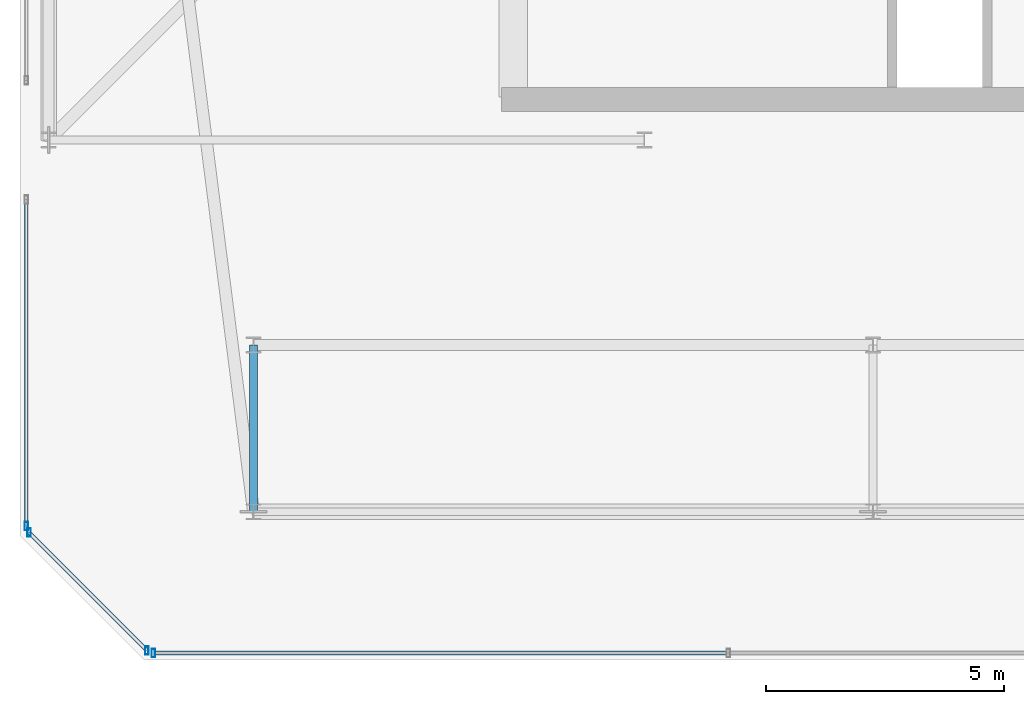
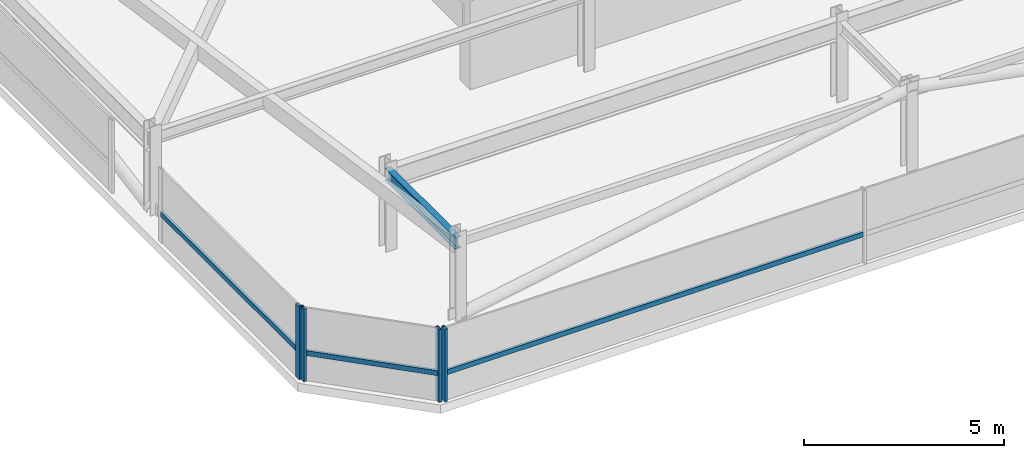
# One storey, part 7 of 42: 7 members, 1 beam, 3 elements without a shape of their own.
"""IFC4 building model written with IfcOpenShell, lengths in metres."""

from ifc_helpers import new_model, si_unit, direction, frame, origin, origin_2d, place, context, subcontext, project, spatial, hollow_rectangle, i_section, extrude, material, material_profile, profile_set, type_object, element, aggregate, save


model = new_model("IFC4")

# Units and contexts
model_context = context("Model", 3, precision=1e-05, world=origin(), true_north=direction((0.0, 1.0)))
body_context = subcontext(model_context, "Body", "Model", "MODEL_VIEW")
ifc_project = project(units=[si_unit("LENGTHUNIT", "METRE"), si_unit("AREAUNIT", "SQUARE_METRE"), si_unit("VOLUMEUNIT", "CUBIC_METRE"), si_unit("PLANEANGLEUNIT", "RADIAN"), si_unit("MASSUNIT", "GRAM", prefix="KILO")], contexts=[model_context])

# Site, building, storey
site_placement = place(None, origin())
site = spatial("IfcSite", under=ifc_project, at=site_placement, CompositionType="ELEMENT")
building_placement = place(site_placement, origin())
building = spatial("IfcBuilding", under=site, at=building_placement, Name="Thornwick Lancets Civic Towers", CompositionType="ELEMENT")
storey_placement = place(building_placement, frame((0.0, 0.0, 284.10009765625)))
storey = spatial("IfcBuildingStorey", under=building, at=storey_placement, Name="C02", CompositionType="ELEMENT", Elevation=284.10009765625)

# Beam
ifc_material_1 = material(Name="Steel S355JR", Category="steel")
ifc_material_profile_1 = material_profile(ifc_material_1, i_section(OverallWidth=0.173095703125, OverallDepth=0.36328125, WebThickness=0.009033203125, FlangeThickness=0.015625, FilletRadius=0.01025390625, at=origin_2d()), Name="UKB 356x171x67")
ifc_profile_set_1 = profile_set([ifc_material_profile_1], Name="Steel S355JR")
beam_type = type_object("IfcBeamType", Name="BM_JOIST_356_67", PredefinedType="JOIST", material=ifc_profile_set_1)
beam_placement = place(storey_placement, frame((12.5, 9.699951171875, 2.25830078125), z_axis=(0.0, -1.0, 0.0), x_axis=(1.0, 0.0, 0.0)))
element("IfcBeam", 1, at=beam_placement, inside=storey, type_object=beam_type, Name="BM-RAD-C02-A01", PredefinedType="JOIST", context=body_context, shape_type="SweptSolid", body=[
    extrude(i_section(OverallWidth=0.173095703125, OverallDepth=0.36328125, WebThickness=0.009033203125, FlangeThickness=0.015625, FilletRadius=0.01025390625, at=origin_2d()), origin(), (0.0, 0.0, 1.0), 3.5),
])

# Curtain wall, member
ifc_material_2 = material(Name="Crown ring acoustic-louvre and glazing screen wall", Category="glass")
curtain_wall_type = type_object("IfcCurtainWallType", Name="CW_SYS_07", PredefinedType="NOTDEFINED", material=ifc_material_2)
curtain_wall_1_placement = place(storey_placement, origin())
curtain_wall_1 = element("IfcCurtainWall", 2, at=curtain_wall_1_placement, inside=storey, type_object=curtain_wall_type, Name="C02 Curtain Wall CW-C02-A-E0", PredefinedType="NOTDEFINED")
ifc_material_3 = material(Name="Thermally broken bronze aluminium S355", Category="steel")
ifc_material_profile_2 = material_profile(ifc_material_3, hollow_rectangle(XDim=0.074951171875, YDim=0.179931640625, WallThickness=0.006103515625, at=origin_2d()), Name="RHS 180x75x6")
ifc_profile_set_2 = profile_set([ifc_material_profile_2], Name="Thermally broken bronze aluminium S355")
member_type_1 = type_object("IfcMemberType", Name="CW_MUL_180", PredefinedType="MULLION", material=ifc_profile_set_2)
member_1_placement = place(storey_placement, frame((10.398681640625, 3.2353515625, 0.0), z_axis=(0.0, 0.0, 1.0), x_axis=(1.0, 0.0, 0.0)))
member_1 = element("IfcMember", 3, at=member_1_placement, type_object=member_type_1, Name="CW-C02-A-E0 Mullion 0", PredefinedType="MULLION", context=body_context, shape_type="SweptSolid", body=[
    extrude(hollow_rectangle(XDim=0.074951171875, YDim=0.179931640625, WallThickness=0.006103515625, at=origin_2d()), origin(), (0.0, 0.0, 1.0), 2.219970703125),
])

curtain_wall_2_placement = place(storey_placement, origin())
curtain_wall_2 = element("IfcCurtainWall", 4, at=curtain_wall_2_placement, inside=storey, type_object=curtain_wall_type, Name="C02 Curtain Wall CW-C02-A-E6-S3", PredefinedType="NOTDEFINED")
member_2_placement = place(storey_placement, frame((7.7353515625, 5.898681640625, 0.0), z_axis=(0.0, 0.0, 1.0), x_axis=(1.0, 0.0, 0.0)))
member_2 = element("IfcMember", 5, at=member_2_placement, type_object=member_type_1, Name="CW-C02-A-E6-S3 Mullion 1", PredefinedType="MULLION", context=body_context, shape_type="SweptSolid", body=[
    extrude(hollow_rectangle(XDim=0.074951171875, YDim=0.179931640625, WallThickness=0.006103515625, at=origin_2d()), origin(), (0.0, 0.0, 1.0), 2.219970703125),
])

# Curtain wall, members
curtain_wall_3_placement = place(storey_placement, origin())
curtain_wall_3 = element("IfcCurtainWall", 6, at=curtain_wall_3_placement, inside=storey, type_object=curtain_wall_type, Name="C02 Curtain Wall CW-C02-A-E7", PredefinedType="NOTDEFINED")
member_3_placement = place(storey_placement, frame((7.7919921875, 5.761962890625, 0.0), z_axis=(0.0, 0.0, 1.0), x_axis=(1.0, 0.0, 0.0)))
member_3 = element("IfcMember", 7, at=member_3_placement, type_object=member_type_1, Name="CW-C02-A-E7 Mullion 0", PredefinedType="MULLION", context=body_context, shape_type="SweptSolid", body=[
    extrude(hollow_rectangle(XDim=0.074951171875, YDim=0.179931640625, WallThickness=0.006103515625, at=origin_2d()), origin(), (0.0, 0.0, 1.0), 2.219970703125),
])
member_4_placement = place(storey_placement, frame((10.261962890625, 3.2919921875, 0.0), z_axis=(0.0, 0.0, 1.0), x_axis=(1.0, 0.0, 0.0)))
member_4 = element("IfcMember", 8, at=member_4_placement, type_object=member_type_1, Name="CW-C02-A-E7 Mullion 1", PredefinedType="MULLION", context=body_context, shape_type="SweptSolid", body=[
    extrude(hollow_rectangle(XDim=0.074951171875, YDim=0.179931640625, WallThickness=0.006103515625, at=origin_2d()), origin(), (0.0, 0.0, 1.0), 2.219970703125),
])

# Member
ifc_material_profile_3 = material_profile(ifc_material_3, hollow_rectangle(XDim=0.074951171875, YDim=0.14990234375, WallThickness=0.0048828125, at=origin_2d()), Name="RHS 150x75x5")
ifc_profile_set_3 = profile_set([ifc_material_profile_3], Name="Thermally broken bronze aluminium S355")
member_type_2 = type_object("IfcMemberType", Name="CW_TRN_150", PredefinedType="USERDEFINED", material=ifc_profile_set_3)
member_5_placement = place(storey_placement, frame((10.418701171875, 3.2353515625, 0.849853515625), z_axis=(1.0, 0.0, 0.0), x_axis=(0.0, 1.0, 0.0)))
member_5 = element("IfcMember", 9, at=member_5_placement, type_object=member_type_2, Name="CW-C02-A-E0 Transom 0", ObjectType="TRANSOM", PredefinedType="USERDEFINED", context=body_context, shape_type="SweptSolid", body=[
    extrude(hollow_rectangle(XDim=0.074951171875, YDim=0.14990234375, WallThickness=0.0048828125, at=origin_2d()), origin(), (0.0, 0.0, 1.0), 12.027587890625),
])

aggregate(curtain_wall_1, [member_1, member_5])

member_6_placement = place(storey_placement, frame((7.7353515625, 12.72998046875, 0.849853515625), z_axis=(0.0, -1.0, 0.0), x_axis=(1.0, 0.0, 0.0)))
member_6 = element("IfcMember", 10, at=member_6_placement, type_object=member_type_2, Name="CW-C02-A-E6-S3 Transom 0", ObjectType="TRANSOM", PredefinedType="USERDEFINED", context=body_context, shape_type="SweptSolid", body=[
    extrude(hollow_rectangle(XDim=0.074951171875, YDim=0.14990234375, WallThickness=0.0048828125, at=origin_2d()), origin(), (0.0, 0.0, 1.0), 6.811279296875),
])

aggregate(curtain_wall_2, [member_2, member_6])

member_7_placement = place(storey_placement, frame((7.80615234375, 5.747802734375, 0.849853515625), z_axis=(0.707106781187, -0.707106781187, 0.0), x_axis=(0.707106781187, 0.707106781187, 0.0)))
member_7 = element("IfcMember", 11, at=member_7_placement, type_object=member_type_2, Name="CW-C02-A-E7 Transom 0", ObjectType="TRANSOM", PredefinedType="USERDEFINED", context=body_context, shape_type="SweptSolid", body=[
    extrude(hollow_rectangle(XDim=0.074951171875, YDim=0.14990234375, WallThickness=0.0048828125, at=origin_2d()), origin(), (0.0, 0.0, 1.0), 3.453125),
])

aggregate(curtain_wall_3, [member_3, member_4, member_7])

save(model, "model.ifc")
